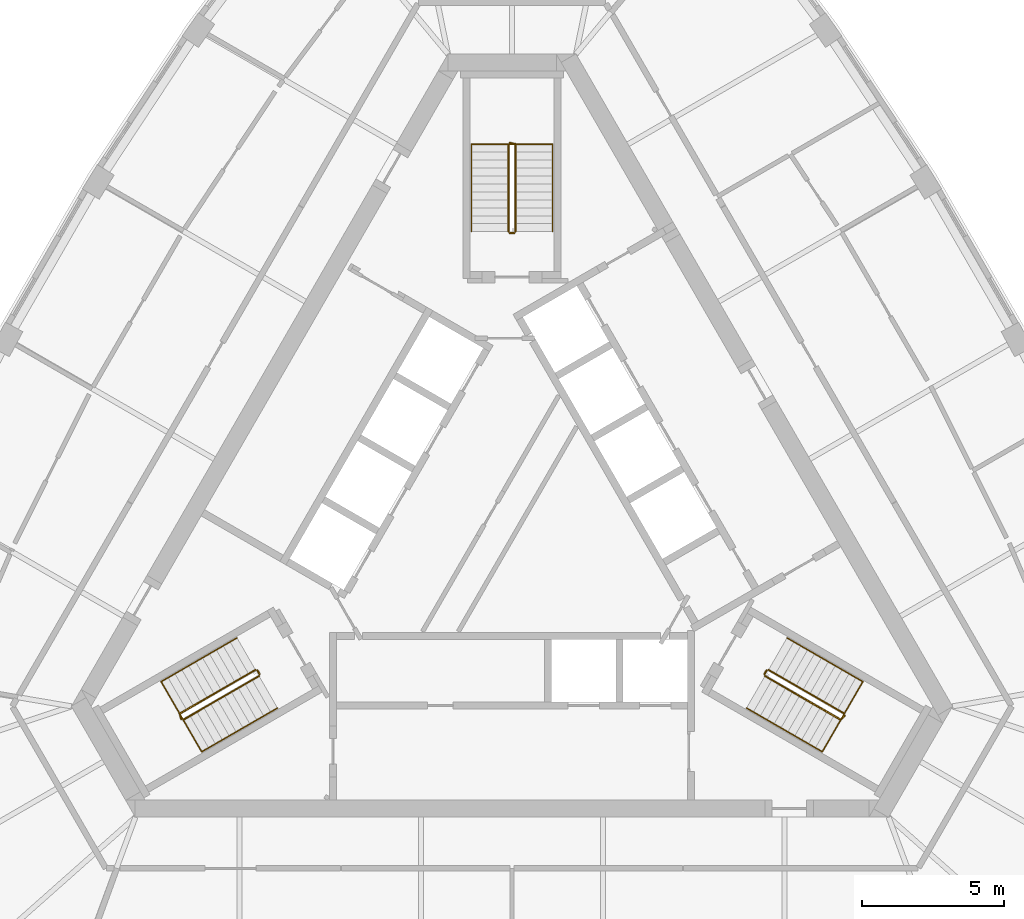
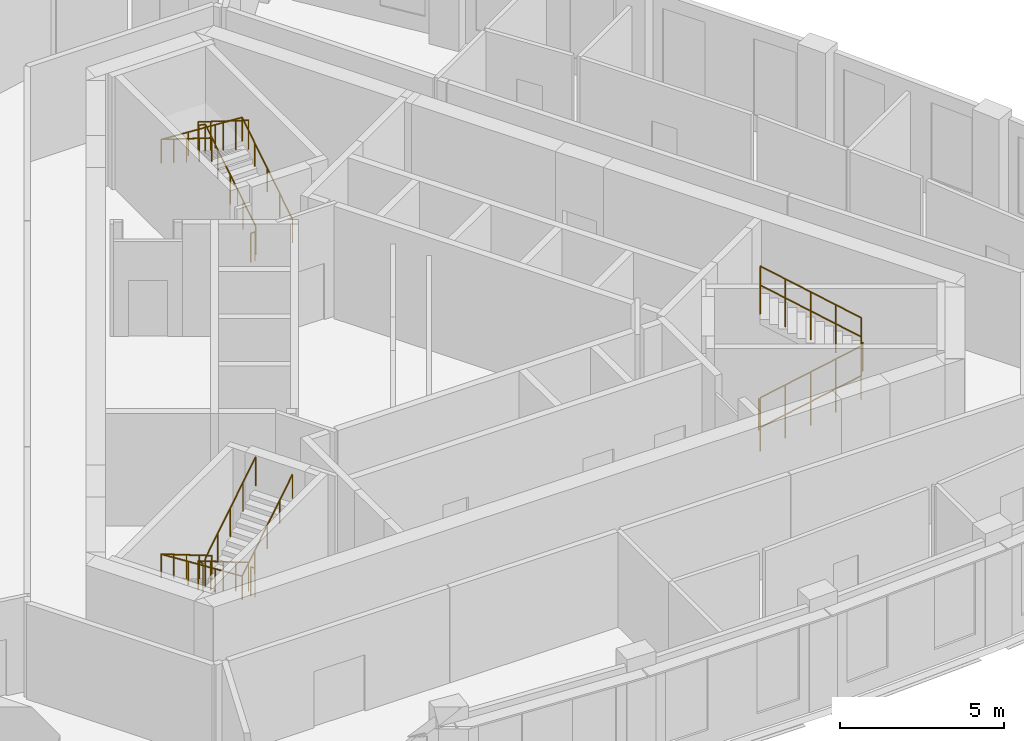
# One storey, part 10 of 10: 12 railings.
"""IFC4 building model written with IfcOpenShell, lengths in metres."""

from ifc_helpers import new_model, si_unit, direction, frame, origin, origin_2d, place, context, subcontext, project, spatial, circle, extrude, material, type_object, element, save


model = new_model("IFC4")

# Units and contexts
model_context = context("Model", 3, precision=1e-05, world=origin(), true_north=direction((0.0, 1.0)))
body_context = subcontext(model_context, "Body", "Model", "MODEL_VIEW")
ifc_project = project(units=[si_unit("LENGTHUNIT", "METRE"), si_unit("AREAUNIT", "SQUARE_METRE"), si_unit("VOLUMEUNIT", "CUBIC_METRE"), si_unit("PLANEANGLEUNIT", "RADIAN"), si_unit("MASSUNIT", "GRAM", prefix="KILO")], contexts=[model_context])

# Site, building, storey
site_placement = place(None, origin())
site = spatial("IfcSite", under=ifc_project, at=site_placement, CompositionType="ELEMENT")
building_placement = place(site_placement, origin())
building = spatial("IfcBuilding", under=site, at=building_placement, Name="Mestral Congress Tower", CompositionType="ELEMENT")
storey_placement = place(building_placement, frame((0.0, 0.0, 300.60009765625)))
storey = spatial("IfcBuildingStorey", under=building, at=storey_placement, Name="L70", CompositionType="ELEMENT", Elevation=300.60009765625)

# Railings
ifc_material_1 = material(Name="Steel balustrade", Category="steel")
railing_type_1 = type_object("IfcRailingType", Name="Stair guard 1100", PredefinedType="GUARDRAIL", material=ifc_material_1)
railing_1_placement = place(storey_placement, frame((8.90087890625, -5.283203125, 0.1748046875)))
element("IfcRailing", 1, at=railing_1_placement, inside=storey, type_object=railing_type_1, Name="L70 ST1 stair guard 1", PredefinedType="GUARDRAIL", context=body_context, shape_type="SweptSolid", body=[
    extrude(circle(Radius=0.02392578125, at=origin_2d()), frame((0.0, 0.0, 1.076171875), z_axis=(0.734364028329, -0.424015404183, 0.530019255228), x_axis=(0.500026652407, 0.866010015463, 0.0)), (0.0, 0.0, 1.0), 3.632080078125),
    extrude(circle(Radius=0.02392578125, at=origin_2d()), frame((2.667236328125, -1.5400390625, 3.0009765625), z_axis=(0.695164929852, 0.718850276695, 0.0), x_axis=(-0.718850276695, 0.695164929852, 0.0)), (0.0, 0.0, 1.0), 0.2060546875),
    extrude(circle(Radius=0.02099609375, at=origin_2d()), origin(), (0.0, 0.0, 1.0), 1.052001953125),
    extrude(circle(Radius=0.02099609375, at=origin_2d()), frame((0.666748046875, -0.385009765625, 0.481201171875)), (0.0, 0.0, 1.0), 1.052001953125),
    extrude(circle(Radius=0.02099609375, at=origin_2d()), frame((1.33349609375, -0.77001953125, 0.96240234375)), (0.0, 0.0, 1.0), 1.052001953125),
    extrude(circle(Radius=0.02099609375, at=origin_2d()), frame((2.00048828125, -1.155029296875, 1.44384765625)), (0.0, 0.0, 1.0), 1.052001953125),
    extrude(circle(Radius=0.02099609375, at=origin_2d()), frame((2.667236328125, -1.5400390625, 1.925048828125)), (0.0, 0.0, 1.0), 1.052001953125),
    extrude(circle(Radius=0.02099609375, at=origin_2d()), frame((2.810546875, -1.391845703125, 1.925048828125)), (0.0, 0.0, 1.0), 1.052001953125),
])
railing_2_placement = place(storey_placement, frame((11.693115234375, -6.606689453125, 2.27490234375)))
element("IfcRailing", 2, at=railing_2_placement, inside=storey, type_object=railing_type_1, Name="L70 ST1 stair guard 2", PredefinedType="GUARDRAIL", context=body_context, shape_type="SweptSolid", body=[
    extrude(circle(Radius=0.02392578125, at=origin_2d()), frame((0.0, 0.0, 1.076171875), z_axis=(-0.734364028329, 0.424015404183, 0.530019255228), x_axis=(-0.500026652407, -0.866010015463, 0.0)), (0.0, 0.0, 1.0), 3.632080078125),
    extrude(circle(Radius=0.02099609375, at=origin_2d()), origin(), (0.0, 0.0, 1.0), 1.052001953125),
    extrude(circle(Radius=0.02099609375, at=origin_2d()), frame((-0.666748046875, 0.385009765625, 0.481201171875)), (0.0, 0.0, 1.0), 1.052001953125),
    extrude(circle(Radius=0.02099609375, at=origin_2d()), frame((-1.33349609375, 0.77001953125, 0.96240234375)), (0.0, 0.0, 1.0), 1.052001953125),
    extrude(circle(Radius=0.02099609375, at=origin_2d()), frame((-2.00048828125, 1.155029296875, 1.44384765625)), (0.0, 0.0, 1.0), 1.052001953125),
    extrude(circle(Radius=0.02099609375, at=origin_2d()), frame((-2.667236328125, 1.5400390625, 1.925048828125)), (0.0, 0.0, 1.0), 1.052001953125),
])
railing_3_placement = place(storey_placement, frame((8.882568359375, -5.21484375, 0.0)))
element("IfcRailing", 3, at=railing_3_placement, inside=storey, type_object=railing_type_1, Name="L70 ST1 stair guard 3", PredefinedType="GUARDRAIL", context=body_context, shape_type="SweptSolid", body=[
    extrude(circle(Radius=0.02392578125, at=origin_2d()), frame((0.0, 0.0, 1.076171875), z_axis=(0.499816412211, 0.866131372301, 0.0), x_axis=(-0.866131372301, 0.499816412211, 0.0)), (0.0, 0.0, 1.0), 0.14990234375),
    extrude(circle(Radius=0.02099609375, at=origin_2d()), origin(), (0.0, 0.0, 1.0), 1.052001953125),
    extrude(circle(Radius=0.02099609375, at=origin_2d()), frame((0.074951171875, 0.1298828125, 0.0)), (0.0, 0.0, 1.0), 1.052001953125),
])
railing_4_placement = place(storey_placement, frame((0.125, 10.35009765625, 0.1748046875)))
element("IfcRailing", 4, at=railing_4_placement, inside=storey, type_object=railing_type_1, Name="L70 ST2 stair guard 1", PredefinedType="GUARDRAIL", context=body_context, shape_type="SweptSolid", body=[
    extrude(circle(Radius=0.02392578125, at=origin_2d()), frame((0.0, 0.0, 1.076171875), z_axis=(0.0, 0.847979421464, 0.530029150871), x_axis=(-1.0, 0.0, 0.0)), (0.0, 0.0, 1.0), 3.632080078125),
    extrude(circle(Radius=0.02392578125, at=origin_2d()), frame((0.0, 3.079833984375, 3.0009765625), z_axis=(-0.970072785993, 0.242814311512, 0.0), x_axis=(-0.242814311512, -0.970072785993, 0.0)), (0.0, 0.0, 1.0), 0.2060546875),
    extrude(circle(Radius=0.02099609375, at=origin_2d()), origin(), (0.0, 0.0, 1.0), 1.052001953125),
    extrude(circle(Radius=0.02099609375, at=origin_2d()), frame((0.0, 0.77001953125, 0.481201171875)), (0.0, 0.0, 1.0), 1.052001953125),
    extrude(circle(Radius=0.02099609375, at=origin_2d()), frame((0.0, 1.5400390625, 0.96240234375)), (0.0, 0.0, 1.0), 1.052001953125),
    extrude(circle(Radius=0.02099609375, at=origin_2d()), frame((0.0, 2.309814453125, 1.44384765625)), (0.0, 0.0, 1.0), 1.052001953125),
    extrude(circle(Radius=0.02099609375, at=origin_2d()), frame((0.0, 3.079833984375, 1.925048828125)), (0.0, 0.0, 1.0), 1.052001953125),
    extrude(circle(Radius=0.02099609375, at=origin_2d()), frame((-0.199951171875, 3.1298828125, 1.925048828125)), (0.0, 0.0, 1.0), 1.052001953125),
])
railing_5_placement = place(storey_placement, frame((-0.125, 13.429931640625, 2.27490234375)))
element("IfcRailing", 5, at=railing_5_placement, inside=storey, type_object=railing_type_1, Name="L70 ST2 stair guard 2", PredefinedType="GUARDRAIL", context=body_context, shape_type="SweptSolid", body=[
    extrude(circle(Radius=0.02392578125, at=origin_2d()), frame((0.0, 0.0, 1.076171875), z_axis=(0.0, -0.847979421464, 0.530029150871), x_axis=(1.0, 0.0, 0.0)), (0.0, 0.0, 1.0), 3.632080078125),
    extrude(circle(Radius=0.02099609375, at=origin_2d()), origin(), (0.0, 0.0, 1.0), 1.052001953125),
    extrude(circle(Radius=0.02099609375, at=origin_2d()), frame((0.0, -0.77001953125, 0.481201171875)), (0.0, 0.0, 1.0), 1.052001953125),
    extrude(circle(Radius=0.02099609375, at=origin_2d()), frame((0.0, -1.5400390625, 0.96240234375)), (0.0, 0.0, 1.0), 1.052001953125),
    extrude(circle(Radius=0.02099609375, at=origin_2d()), frame((0.0, -2.309814453125, 1.44384765625)), (0.0, 0.0, 1.0), 1.052001953125),
    extrude(circle(Radius=0.02099609375, at=origin_2d()), frame((0.0, -3.079833984375, 1.925048828125)), (0.0, 0.0, 1.0), 1.052001953125),
])
railing_6_placement = place(storey_placement, frame((0.074951171875, 10.300048828125, 0.0)))
element("IfcRailing", 6, at=railing_6_placement, inside=storey, type_object=railing_type_1, Name="L70 ST2 stair guard 3", PredefinedType="GUARDRAIL", context=body_context, shape_type="SweptSolid", body=[
    extrude(circle(Radius=0.02392578125, at=origin_2d()), frame((0.0, 0.0, 1.076171875), z_axis=(-1.0, 0.0, 0.0), x_axis=(0.0, -1.0, 0.0)), (0.0, 0.0, 1.0), 0.14990234375),
    extrude(circle(Radius=0.02099609375, at=origin_2d()), origin(), (0.0, 0.0, 1.0), 1.052001953125),
    extrude(circle(Radius=0.02099609375, at=origin_2d()), frame((-0.14990234375, 0.0, 0.0)), (0.0, 0.0, 1.0), 1.052001953125),
])
railing_7_placement = place(storey_placement, frame((-9.02587890625, -5.066650390625, 0.1748046875)))
element("IfcRailing", 7, at=railing_7_placement, inside=storey, type_object=railing_type_1, Name="L70 ST3 stair guard 1", PredefinedType="GUARDRAIL", context=body_context, shape_type="SweptSolid", body=[
    extrude(circle(Radius=0.02392578125, at=origin_2d()), frame((0.0, 0.0, 1.076171875), z_axis=(-0.734364028329, -0.424015404183, 0.530019255228), x_axis=(0.500026652407, -0.866010015463, 0.0)), (0.0, 0.0, 1.0), 3.632080078125),
    extrude(circle(Radius=0.02392578125, at=origin_2d()), frame((-2.667236328125, -1.5400390625, 3.0009765625), z_axis=(0.274721127897, -0.961523947641, 0.0), x_axis=(0.961523947641, 0.274721127897, 0.0)), (0.0, 0.0, 1.0), 0.2060546875),
    extrude(circle(Radius=0.02099609375, at=origin_2d()), origin(), (0.0, 0.0, 1.0), 1.052001953125),
    extrude(circle(Radius=0.02099609375, at=origin_2d()), frame((-0.666748046875, -0.385009765625, 0.481201171875)), (0.0, 0.0, 1.0), 1.052001953125),
    extrude(circle(Radius=0.02099609375, at=origin_2d()), frame((-1.33349609375, -0.77001953125, 0.96240234375)), (0.0, 0.0, 1.0), 1.052001953125),
    extrude(circle(Radius=0.02099609375, at=origin_2d()), frame((-2.00048828125, -1.155029296875, 1.44384765625)), (0.0, 0.0, 1.0), 1.052001953125),
    extrude(circle(Radius=0.02099609375, at=origin_2d()), frame((-2.667236328125, -1.5400390625, 1.925048828125)), (0.0, 0.0, 1.0), 1.052001953125),
    extrude(circle(Radius=0.02099609375, at=origin_2d()), frame((-2.610595703125, -1.73828125, 1.925048828125)), (0.0, 0.0, 1.0), 1.052001953125),
])
railing_8_placement = place(storey_placement, frame((-11.568115234375, -6.8232421875, 2.27490234375)))
element("IfcRailing", 8, at=railing_8_placement, inside=storey, type_object=railing_type_1, Name="L70 ST3 stair guard 2", PredefinedType="GUARDRAIL", context=body_context, shape_type="SweptSolid", body=[
    extrude(circle(Radius=0.02392578125, at=origin_2d()), frame((0.0, 0.0, 1.076171875), z_axis=(0.734364028329, 0.424015404183, 0.530019255228), x_axis=(-0.500026652407, 0.866010015463, 0.0)), (0.0, 0.0, 1.0), 3.632080078125),
    extrude(circle(Radius=0.02099609375, at=origin_2d()), origin(), (0.0, 0.0, 1.0), 1.052001953125),
    extrude(circle(Radius=0.02099609375, at=origin_2d()), frame((0.666748046875, 0.385009765625, 0.481201171875)), (0.0, 0.0, 1.0), 1.052001953125),
    extrude(circle(Radius=0.02099609375, at=origin_2d()), frame((1.33349609375, 0.77001953125, 0.96240234375)), (0.0, 0.0, 1.0), 1.052001953125),
    extrude(circle(Radius=0.02099609375, at=origin_2d()), frame((2.00048828125, 1.155029296875, 1.44384765625)), (0.0, 0.0, 1.0), 1.052001953125),
    extrude(circle(Radius=0.02099609375, at=origin_2d()), frame((2.667236328125, 1.5400390625, 1.925048828125)), (0.0, 0.0, 1.0), 1.052001953125),
])
railing_9_placement = place(storey_placement, frame((-8.95751953125, -5.0849609375, 0.0)))
element("IfcRailing", 9, at=railing_9_placement, inside=storey, type_object=railing_type_1, Name="L70 ST3 stair guard 3", PredefinedType="GUARDRAIL", context=body_context, shape_type="SweptSolid", body=[
    extrude(circle(Radius=0.02392578125, at=origin_2d()), frame((0.0, 0.0, 1.076171875), z_axis=(0.499816412211, -0.866131372301, 0.0), x_axis=(0.866131372301, 0.499816412211, 0.0)), (0.0, 0.0, 1.0), 0.14990234375),
    extrude(circle(Radius=0.02099609375, at=origin_2d()), origin(), (0.0, 0.0, 1.0), 1.052001953125),
    extrude(circle(Radius=0.02099609375, at=origin_2d()), frame((0.074951171875, -0.1298828125, 0.0)), (0.0, 0.0, 1.0), 1.052001953125),
])
ifc_material_2 = material(Name="Steel handrail", Category="steel")
railing_type_2 = type_object("IfcRailingType", Name="Stair handrail 900", PredefinedType="HANDRAIL", material=ifc_material_2)
railing_10_placement = place(storey_placement, frame((8.2509765625, -6.4091796875, 0.1748046875)))
element("IfcRailing", 10, at=railing_10_placement, inside=storey, type_object=railing_type_2, Name="L70 ST1 stair handrail 1", PredefinedType="HANDRAIL", context=body_context, shape_type="SweptSolid", body=[
    extrude(circle(Radius=0.02392578125, at=origin_2d()), frame((0.0, 0.0, 0.8759765625), z_axis=(0.734384958227, -0.423960268333, 0.530034361155), x_axis=(0.499967199496, 0.866044340336, 0.0)), (0.0, 0.0, 1.0), 3.6318359375),
    extrude(circle(Radius=0.02392578125, at=origin_2d()), frame((2.667236328125, -1.539794921875, 2.80078125), z_axis=(0.499095769026, 0.864375386171, 0.061307463833), x_axis=(-0.866004402611, 0.500036373335, 0.0)), (0.0, 0.0, 1.0), 2.855224609375),
    extrude(circle(Radius=0.02392578125, at=origin_2d()), frame((4.09228515625, 0.92822265625, 2.97607421875), z_axis=(-0.734394994316, 0.423994474112, 0.52999309264), x_axis=(-0.499992328818, -0.866029832698, 0.0)), (0.0, 0.0, 1.0), 3.63232421875),
    extrude(circle(Radius=0.02099609375, at=origin_2d()), origin(), (0.0, 0.0, 1.0), 0.851806640625),
    extrude(circle(Radius=0.02099609375, at=origin_2d()), frame((0.666748046875, -0.385009765625, 0.481201171875)), (0.0, 0.0, 1.0), 0.851806640625),
    extrude(circle(Radius=0.02099609375, at=origin_2d()), frame((1.33349609375, -0.77001953125, 0.96240234375)), (0.0, 0.0, 1.0), 0.851806640625),
    extrude(circle(Radius=0.02099609375, at=origin_2d()), frame((2.00048828125, -1.15478515625, 1.44384765625)), (0.0, 0.0, 1.0), 0.851806640625),
    extrude(circle(Radius=0.02099609375, at=origin_2d()), frame((2.667236328125, -1.539794921875, 1.925048828125)), (0.0, 0.0, 1.0), 0.851806640625),
    extrude(circle(Radius=0.02099609375, at=origin_2d()), frame((3.142333984375, -0.717041015625, 1.9833984375)), (0.0, 0.0, 1.0), 0.851806640625),
    extrude(circle(Radius=0.02099609375, at=origin_2d()), frame((3.6171875, 0.10546875, 2.041748046875)), (0.0, 0.0, 1.0), 0.851806640625),
    extrude(circle(Radius=0.02099609375, at=origin_2d()), frame((4.09228515625, 0.92822265625, 2.10009765625)), (0.0, 0.0, 1.0), 0.851806640625),
    extrude(circle(Radius=0.02099609375, at=origin_2d()), frame((3.42529296875, 1.313232421875, 2.581298828125)), (0.0, 0.0, 1.0), 0.851806640625),
    extrude(circle(Radius=0.02099609375, at=origin_2d()), frame((2.758544921875, 1.6982421875, 3.0625)), (0.0, 0.0, 1.0), 0.851806640625),
    extrude(circle(Radius=0.02099609375, at=origin_2d()), frame((2.091796875, 2.083251953125, 3.5439453125)), (0.0, 0.0, 1.0), 0.851806640625),
    extrude(circle(Radius=0.02099609375, at=origin_2d()), frame((1.4248046875, 2.46826171875, 4.025146484375)), (0.0, 0.0, 1.0), 0.851806640625),
])
railing_11_placement = place(storey_placement, frame((1.425048828125, 10.35009765625, 0.1748046875)))
element("IfcRailing", 11, at=railing_11_placement, inside=storey, type_object=railing_type_2, Name="L70 ST2 stair handrail 1", PredefinedType="HANDRAIL", context=body_context, shape_type="SweptSolid", body=[
    extrude(circle(Radius=0.02392578125, at=origin_2d()), frame((0.0, 0.0, 0.8759765625), z_axis=(0.0, 0.847979421464, 0.530029150871), x_axis=(-1.0, 0.0, 0.0)), (0.0, 0.0, 1.0), 3.632080078125),
    extrude(circle(Radius=0.02392578125, at=origin_2d()), frame((0.0, 3.079833984375, 2.80078125), z_axis=(-0.998119201106, 0.0, 0.061303021003), x_axis=(0.0, -1.0, 0.0)), (0.0, 0.0, 1.0), 2.85546875),
    extrude(circle(Radius=0.02392578125, at=origin_2d()), frame((-2.85009765625, 3.079833984375, 2.97607421875), z_axis=(0.0, -0.847979421464, 0.530029150871), x_axis=(1.0, 0.0, 0.0)), (0.0, 0.0, 1.0), 3.632080078125),
    extrude(circle(Radius=0.02099609375, at=origin_2d()), origin(), (0.0, 0.0, 1.0), 0.851806640625),
    extrude(circle(Radius=0.02099609375, at=origin_2d()), frame((0.0, 0.77001953125, 0.481201171875)), (0.0, 0.0, 1.0), 0.851806640625),
    extrude(circle(Radius=0.02099609375, at=origin_2d()), frame((0.0, 1.5400390625, 0.96240234375)), (0.0, 0.0, 1.0), 0.851806640625),
    extrude(circle(Radius=0.02099609375, at=origin_2d()), frame((0.0, 2.309814453125, 1.44384765625)), (0.0, 0.0, 1.0), 0.851806640625),
    extrude(circle(Radius=0.02099609375, at=origin_2d()), frame((0.0, 3.079833984375, 1.925048828125)), (0.0, 0.0, 1.0), 0.851806640625),
    extrude(circle(Radius=0.02099609375, at=origin_2d()), frame((-0.949951171875, 3.079833984375, 1.9833984375)), (0.0, 0.0, 1.0), 0.851806640625),
    extrude(circle(Radius=0.02099609375, at=origin_2d()), frame((-1.900146484375, 3.079833984375, 2.041748046875)), (0.0, 0.0, 1.0), 0.851806640625),
    extrude(circle(Radius=0.02099609375, at=origin_2d()), frame((-2.85009765625, 3.079833984375, 2.10009765625)), (0.0, 0.0, 1.0), 0.851806640625),
    extrude(circle(Radius=0.02099609375, at=origin_2d()), frame((-2.85009765625, 2.309814453125, 2.581298828125)), (0.0, 0.0, 1.0), 0.851806640625),
    extrude(circle(Radius=0.02099609375, at=origin_2d()), frame((-2.85009765625, 1.5400390625, 3.0625)), (0.0, 0.0, 1.0), 0.851806640625),
    extrude(circle(Radius=0.02099609375, at=origin_2d()), frame((-2.85009765625, 0.77001953125, 3.5439453125)), (0.0, 0.0, 1.0), 0.851806640625),
    extrude(circle(Radius=0.02099609375, at=origin_2d()), frame((-2.85009765625, 0.0, 4.025146484375)), (0.0, 0.0, 1.0), 0.851806640625),
])
railing_12_placement = place(storey_placement, frame((-9.67578125, -3.94091796875, 0.1748046875)))
element("IfcRailing", 12, at=railing_12_placement, inside=storey, type_object=railing_type_2, Name="L70 ST3 stair handrail 1", PredefinedType="HANDRAIL", context=body_context, shape_type="SweptSolid", body=[
    extrude(circle(Radius=0.02392578125, at=origin_2d()), frame((0.0, 0.0, 0.8759765625), z_axis=(-0.734394994316, -0.423994474112, 0.52999309264), x_axis=(0.499992328818, -0.866029832698, 0.0)), (0.0, 0.0, 1.0), 3.63232421875),
    extrude(circle(Radius=0.02392578125, at=origin_2d()), frame((-2.66748046875, -1.5400390625, 2.80078125), z_axis=(0.499095769026, -0.864375386171, 0.061307463833), x_axis=(0.866004402611, 0.500036373335, 0.0)), (0.0, 0.0, 1.0), 2.855224609375),
    extrude(circle(Radius=0.02392578125, at=origin_2d()), frame((-1.242431640625, -4.008056640625, 2.97607421875), z_axis=(0.734384958227, 0.423960268333, 0.530034361155), x_axis=(-0.499967199496, 0.866044340336, 0.0)), (0.0, 0.0, 1.0), 3.6318359375),
    extrude(circle(Radius=0.02099609375, at=origin_2d()), origin(), (0.0, 0.0, 1.0), 0.851806640625),
    extrude(circle(Radius=0.02099609375, at=origin_2d()), frame((-0.6669921875, -0.385009765625, 0.481201171875)), (0.0, 0.0, 1.0), 0.851806640625),
    extrude(circle(Radius=0.02099609375, at=origin_2d()), frame((-1.333740234375, -0.77001953125, 0.96240234375)), (0.0, 0.0, 1.0), 0.851806640625),
    extrude(circle(Radius=0.02099609375, at=origin_2d()), frame((-2.00048828125, -1.155029296875, 1.44384765625)), (0.0, 0.0, 1.0), 0.851806640625),
    extrude(circle(Radius=0.02099609375, at=origin_2d()), frame((-2.66748046875, -1.5400390625, 1.925048828125)), (0.0, 0.0, 1.0), 0.851806640625),
    extrude(circle(Radius=0.02099609375, at=origin_2d()), frame((-2.1923828125, -2.36279296875, 1.9833984375)), (0.0, 0.0, 1.0), 0.851806640625),
    extrude(circle(Radius=0.02099609375, at=origin_2d()), frame((-1.717529296875, -3.185302734375, 2.041748046875)), (0.0, 0.0, 1.0), 0.851806640625),
    extrude(circle(Radius=0.02099609375, at=origin_2d()), frame((-1.242431640625, -4.008056640625, 2.10009765625)), (0.0, 0.0, 1.0), 0.851806640625),
    extrude(circle(Radius=0.02099609375, at=origin_2d()), frame((-0.57568359375, -3.623046875, 2.581298828125)), (0.0, 0.0, 1.0), 0.851806640625),
    extrude(circle(Radius=0.02099609375, at=origin_2d()), frame((0.09130859375, -3.23828125, 3.0625)), (0.0, 0.0, 1.0), 0.851806640625),
    extrude(circle(Radius=0.02099609375, at=origin_2d()), frame((0.758056640625, -2.853271484375, 3.5439453125)), (0.0, 0.0, 1.0), 0.851806640625),
    extrude(circle(Radius=0.02099609375, at=origin_2d()), frame((1.4248046875, -2.46826171875, 4.025146484375)), (0.0, 0.0, 1.0), 0.851806640625),
])

save(model, "model.ifc")
